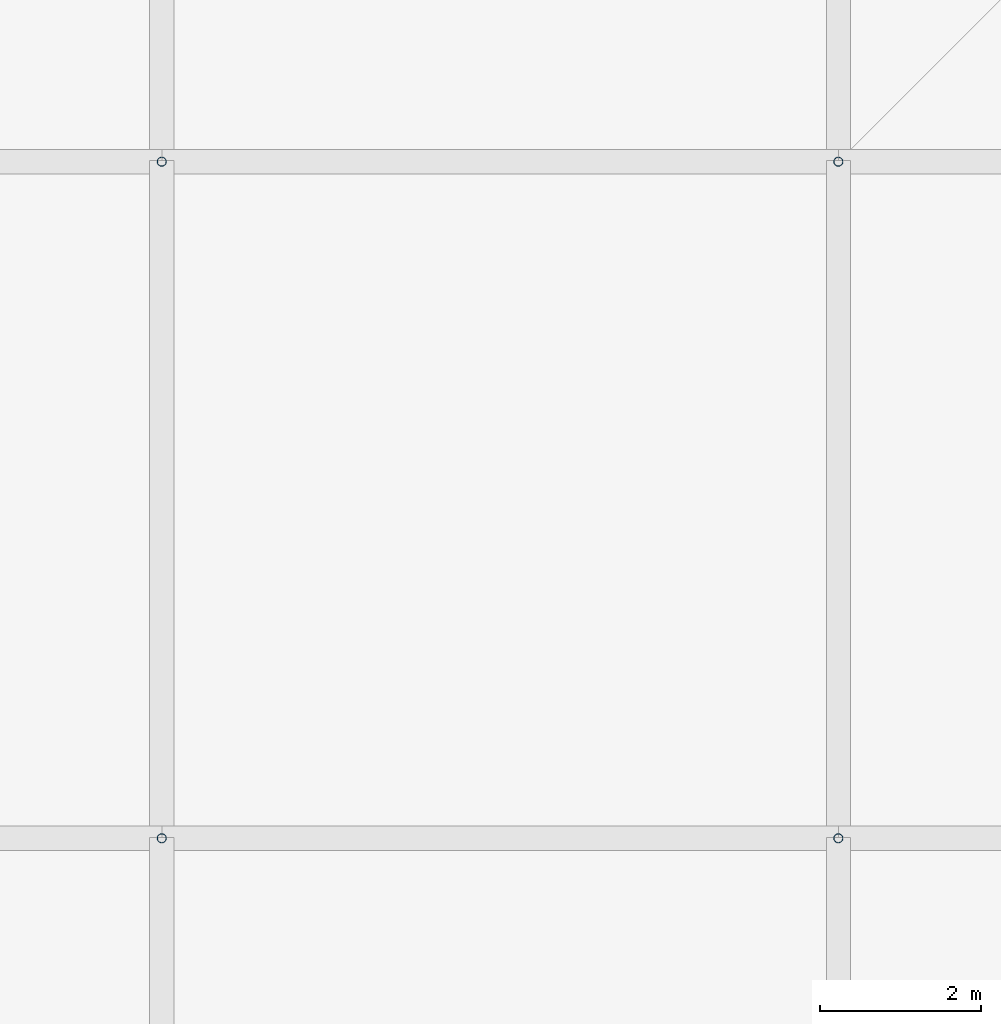
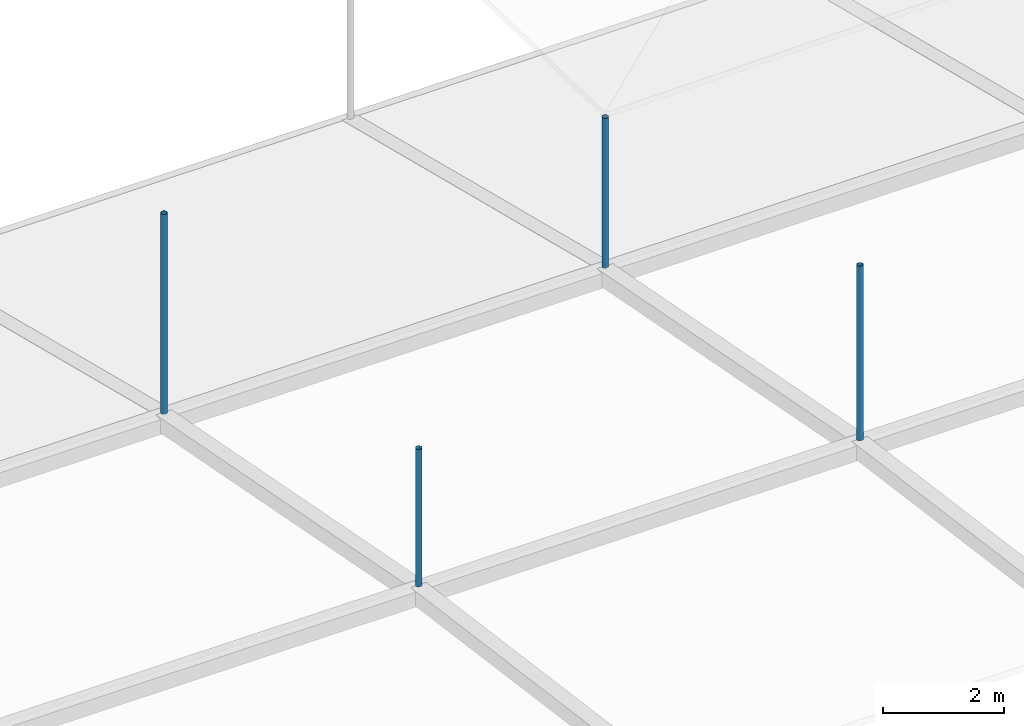
# One storey, part 57 of 111: 4 discrete accessories.
"""IFC4 building model written with IfcOpenShell, lengths in metres."""

from ifc_helpers import new_model, si_unit, direction, frame, origin, origin_2d, place, context, subcontext, project, spatial, hollow_circle, extrude, material, material_profile, profile_set, type_object, element, save


model = new_model("IFC4")

# Units and contexts
model_context = context("Model", 3, precision=1e-05, world=origin(), true_north=direction((0.0, 1.0)))
body_context = subcontext(model_context, "Body", "Model", "MODEL_VIEW")
ifc_project = project(units=[si_unit("LENGTHUNIT", "METRE"), si_unit("AREAUNIT", "SQUARE_METRE"), si_unit("VOLUMEUNIT", "CUBIC_METRE"), si_unit("PLANEANGLEUNIT", "RADIAN"), si_unit("MASSUNIT", "GRAM", prefix="KILO")], contexts=[model_context])

# Site, building, storey
site_placement = place(None, origin())
site = spatial("IfcSite", under=ifc_project, at=site_placement, CompositionType="ELEMENT")
building_placement = place(site_placement, origin())
building = spatial("IfcBuilding", under=site, at=building_placement, Name="Rain Tree Exposition and Congress Centre", CompositionType="ELEMENT")
storey_placement = place(building_placement, frame((0.0, 0.0, 19.5)))
storey = spatial("IfcBuildingStorey", under=building, at=storey_placement, Name="RF", CompositionType="ELEMENT", Elevation=19.5)

# Discrete accessories
ifc_material = material(Name="Steel S355J2H", Category="steel")
ifc_material_profile = material_profile(ifc_material, hollow_circle(Radius=0.05712890625, WallThickness=0.00439453125, at=origin_2d()), Name="CHS 114x4.5")
ifc_profile_set = profile_set([ifc_material_profile], Name="Steel S355J2H")
discrete_accessory_type = type_object("IfcDiscreteAccessoryType", Name="Roof skin post CHS 114x4.5", PredefinedType="BRACKET", material=ifc_profile_set)
discrete_accessory_1_placement = place(storey_placement, frame((50.39990234375, 176.39990234375, 4.843017578125), z_axis=(0.0, 0.0, 1.0), x_axis=(1.0, 0.0, 0.0)))
element("IfcDiscreteAccessory", 1, at=discrete_accessory_1_placement, inside=storey, type_object=discrete_accessory_type, Name="Roof skin post A141", PredefinedType="BRACKET", context=body_context, shape_type="SweptSolid", body=[
    extrude(hollow_circle(Radius=0.05712890625, WallThickness=0.00439453125, at=origin_2d()), origin(), (0.0, 0.0, 1.0), 2.771728515625),
])
discrete_accessory_2_placement = place(storey_placement, frame((58.800048828125, 176.39990234375, 4.843017578125), z_axis=(0.0, 0.0, 1.0), x_axis=(1.0, 0.0, 0.0)))
element("IfcDiscreteAccessory", 2, at=discrete_accessory_2_placement, inside=storey, type_object=discrete_accessory_type, Name="Roof skin post A142", PredefinedType="BRACKET", context=body_context, shape_type="SweptSolid", body=[
    extrude(hollow_circle(Radius=0.05712890625, WallThickness=0.00439453125, at=origin_2d()), origin(), (0.0, 0.0, 1.0), 3.51953125),
])
discrete_accessory_3_placement = place(storey_placement, frame((50.39990234375, 184.800048828125, 3.22412109375), z_axis=(0.0, 0.0, 1.0), x_axis=(1.0, 0.0, 0.0)))
element("IfcDiscreteAccessory", 3, at=discrete_accessory_3_placement, inside=storey, type_object=discrete_accessory_type, Name="Roof skin post A156", PredefinedType="BRACKET", context=body_context, shape_type="SweptSolid", body=[
    extrude(hollow_circle(Radius=0.05712890625, WallThickness=0.00439453125, at=origin_2d()), origin(), (0.0, 0.0, 1.0), 4.025146484375),
])
discrete_accessory_4_placement = place(storey_placement, frame((58.800048828125, 184.800048828125, 3.22412109375), z_axis=(0.0, 0.0, 1.0), x_axis=(1.0, 0.0, 0.0)))
element("IfcDiscreteAccessory", 4, at=discrete_accessory_4_placement, inside=storey, type_object=discrete_accessory_type, Name="Roof skin post A157", PredefinedType="BRACKET", context=body_context, shape_type="SweptSolid", body=[
    extrude(hollow_circle(Radius=0.05712890625, WallThickness=0.00439453125, at=origin_2d()), origin(), (0.0, 0.0, 1.0), 3.01904296875),
])

save(model, "model.ifc")
